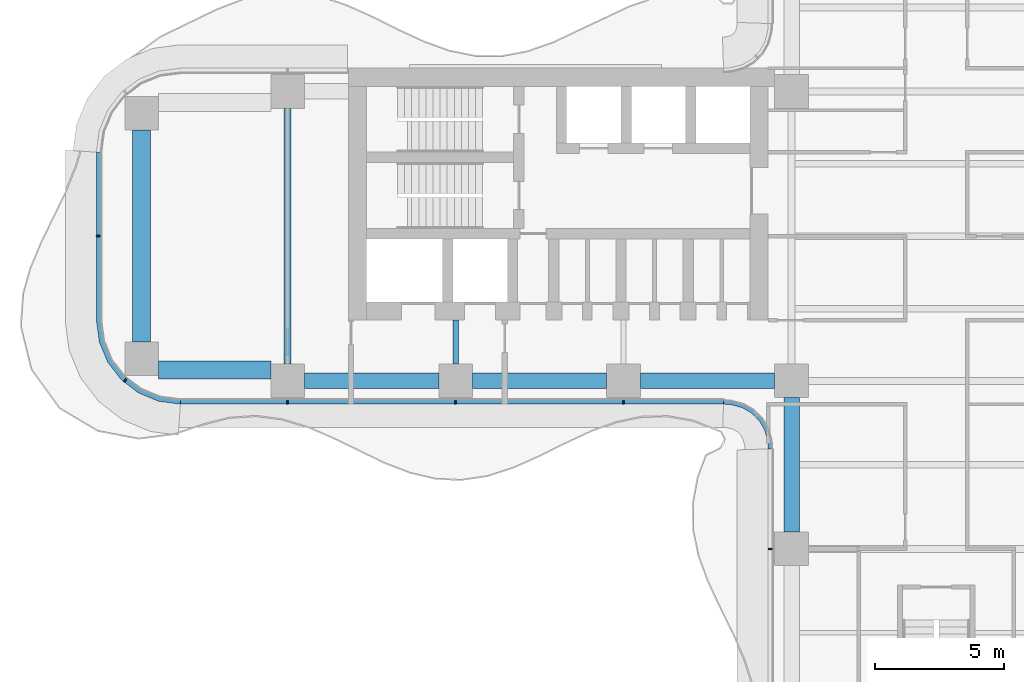
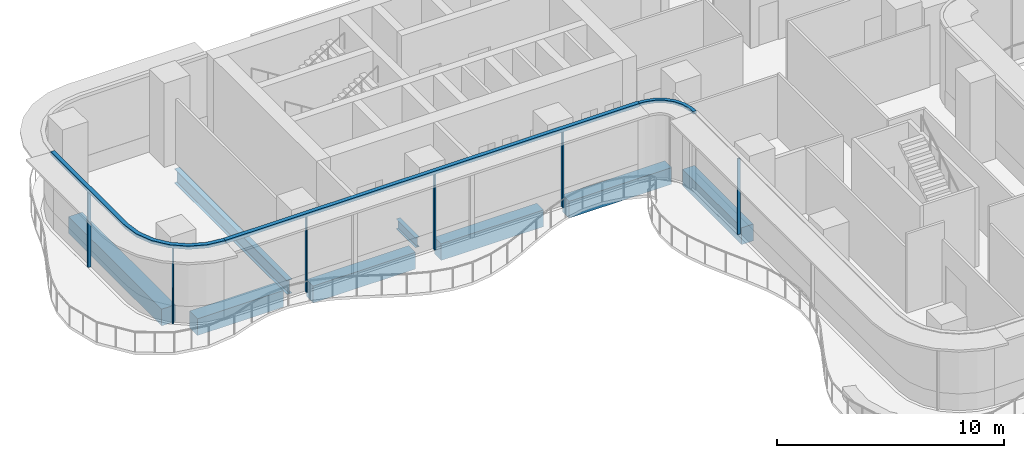
# One storey, part 3 of 21: 9 members, 8 beams, 4 elements without a shape of their own.
"""IFC4 building model written with IfcOpenShell, lengths in metres."""

from ifc_helpers import new_model, si_unit, direction, frame, origin, origin_2d, place, context, subcontext, project, spatial, polyline, rectangle, i_section, outline, extrude, source, transform, mapped, material, layer, layer_set, material_profile, profile_set, type_object, element, aggregate, save


model = new_model("IFC4")

# Units and contexts
model_context = context("Model", 3, precision=1e-05, world=origin(), true_north=direction((0.0, 1.0)))
body_context = subcontext(model_context, "Body", "Model", "MODEL_VIEW")
ifc_project = project(units=[si_unit("LENGTHUNIT", "METRE"), si_unit("AREAUNIT", "SQUARE_METRE"), si_unit("VOLUMEUNIT", "CUBIC_METRE"), si_unit("PLANEANGLEUNIT", "RADIAN"), si_unit("MASSUNIT", "GRAM", prefix="KILO")], contexts=[model_context])

# Site, building, storey
site_placement = place(None, origin())
site = spatial("IfcSite", under=ifc_project, at=site_placement, CompositionType="ELEMENT")
building_placement = place(site_placement, origin())
building = spatial("IfcBuilding", under=site, at=building_placement, Name="Trellis Farm Tower", CompositionType="ELEMENT")
storey_placement = place(building_placement, frame((0.0, 0.0, 115.5)))
storey = spatial("IfcBuildingStorey", under=building, at=storey_placement, Name="L24", CompositionType="ELEMENT", Elevation=115.5)

# Beams
ifc_material_1 = material(Name="Steel S355", Category="steel")
ifc_material_profile_1 = material_profile(ifc_material_1, i_section(OverallWidth=0.2666015625, OverallDepth=0.76220703125, WebThickness=0.014404296875, FlangeThickness=0.021484375, FilletRadius=0.0166015625, at=origin_2d()), Name="UB 762x267x173")
ifc_profile_set_1 = profile_set([ifc_material_profile_1], Name="Steel S355")
beam_type_1 = type_object("IfcBeamType", Name="UB 762x267x173", PredefinedType="BEAM", material=ifc_profile_set_1)
shared_shape_1 = source(origin(), body_context, "Body", "SweptSolid", [
    extrude(i_section(OverallWidth=0.2666015625, OverallDepth=0.76220703125, WebThickness=0.014404296875, FlangeThickness=0.021484375, FilletRadius=0.0166015625, at=origin_2d()), origin(), (0.0, 0.0, 1.0), 9.89990234375),
])
beam_1_placement = place(storey_placement, frame((-25.10009765625, -4.949951171875, -0.631103515625), z_axis=(0.0, 1.0, 0.0), x_axis=(-1.0, 0.0, 0.0)))
element("IfcBeam", 1, at=beam_1_placement, inside=storey, type_object=beam_type_1, Name="Girder", PredefinedType="BEAM", context=body_context, shape_type="MappedRepresentation", body=[
    mapped(shared_shape_1, transform((0.0, 0.0, 0.0))),
])
ifc_material_profile_2 = material_profile(ifc_material_1, i_section(OverallWidth=0.209228515625, OverallDepth=0.533203125, WebThickness=0.010009765625, FlangeThickness=0.015625, FilletRadius=0.0126953125, at=origin_2d()), Name="UB 533x210x92")
ifc_profile_set_2 = profile_set([ifc_material_profile_2], Name="Steel S355")
beam_type_2 = type_object("IfcBeamType", Name="UB 533x210x92", PredefinedType="BEAM", material=ifc_profile_set_2)
shared_shape_2 = source(origin(), body_context, "Body", "SweptSolid", [
    extrude(i_section(OverallWidth=0.209228515625, OverallDepth=0.533203125, WebThickness=0.010009765625, FlangeThickness=0.015625, FilletRadius=0.0126953125, at=origin_2d()), origin(), (0.0, 0.0, 1.0), 1.699951171875),
])
beam_2_placement = place(storey_placement, frame((-18.60009765625, -4.949951171875, -0.5166015625), z_axis=(0.0, 1.0, 0.0), x_axis=(-1.0, 0.0, 0.0)))
element("IfcBeam", 2, at=beam_2_placement, inside=storey, type_object=beam_type_2, Name="Girder", PredefinedType="BEAM", context=body_context, shape_type="MappedRepresentation", body=[
    mapped(shared_shape_2, transform((0.0, 0.0, 0.0))),
])
ifc_material_2 = material(Name="Concrete C60/75", Category="concrete")
ifc_material_profile_3 = material_profile(ifc_material_2, rectangle(XDim=0.60009765625, YDim=0.89990234375, at=origin_2d()), Name="RC spandrel beam 600x900 C60/75")
ifc_profile_set_3 = profile_set([ifc_material_profile_3], Name="Concrete C60/75")
beam_type_3 = type_object("IfcBeamType", Name="RC spandrel beam 600x900 C60/75", PredefinedType="SPANDREL", material=ifc_profile_set_3)
shared_shape_3 = source(origin(), body_context, "Body", "SweptSolid", [
    extrude(rectangle(XDim=0.60009765625, YDim=0.89990234375, at=origin_2d()), origin(), (0.0, 0.0, 1.0), 5.199951171875),
])
for number, where, z_axis, x_axis, name in (
    (3, (-24.449951171875, -5.60009765625, -0.699951171875), (1.0, 0.0, 0.0), (0.0, 1.0, 0.0), "Girder"),
    (4, (-17.949951171875, -5.60009765625, -0.699951171875), (1.0, 0.0, 0.0), (0.0, 1.0, 0.0), "Girder"),
    (5, (-11.449951171875, -5.60009765625, -0.699951171875), (1.0, 0.0, 0.0), (0.0, 1.0, 0.0), "Girder"),
    (6, (-5.60009765625, -11.449951171875, -0.699951171875), (0.0, 1.0, 0.0), (-1.0, 0.0, 0.0), "Girder"),
):
    element("IfcBeam", number, at=place(storey_placement, frame(where, z_axis=z_axis, x_axis=x_axis)), inside=storey, type_object=beam_type_3, Name=name, PredefinedType="SPANDREL", context=body_context, shape_type="MappedRepresentation", body=[
        mapped(shared_shape_3, transform((0.0, 0.0, 0.0))),
    ])
ifc_material_profile_4 = material_profile(ifc_material_2, rectangle(XDim=0.699951171875, YDim=0.89990234375, at=origin_2d()), Name="RC spandrel beam 700x900 C60/75")
ifc_profile_set_4 = profile_set([ifc_material_profile_4], Name="Concrete C60/75")
beam_type_4 = type_object("IfcBeamType", Name="RC spandrel beam 700x900 C60/75", PredefinedType="SPANDREL", material=ifc_profile_set_4)
shared_shape_4 = source(origin(), body_context, "Body", "SweptSolid", [
    extrude(rectangle(XDim=0.699951171875, YDim=0.89990234375, at=origin_2d()), origin(), (0.0, 0.0, 1.0), 4.35009765625),
])
beam_3_placement = place(storey_placement, frame((-30.10009765625, -5.175048828125, -0.699951171875), z_axis=(1.0, 0.0, 0.0), x_axis=(0.0, 1.0, 0.0)))
element("IfcBeam", 7, at=beam_3_placement, inside=storey, type_object=beam_type_4, Name="Girder", PredefinedType="SPANDREL", context=body_context, shape_type="MappedRepresentation", body=[
    mapped(shared_shape_4, transform((0.0, 0.0, 0.0))),
])
shared_shape_5 = source(origin(), body_context, "Body", "SweptSolid", [
    extrude(rectangle(XDim=0.699951171875, YDim=0.89990234375, at=origin_2d()), origin(), (0.0, 0.0, 1.0), 8.2001953125),
])
beam_4_placement = place(storey_placement, frame((-30.75, -4.10009765625, -0.699951171875), z_axis=(0.0, 1.0, 0.0), x_axis=(-1.0, 0.0, 0.0)))
element("IfcBeam", 8, at=beam_4_placement, inside=storey, type_object=beam_type_4, Name="Girder", PredefinedType="SPANDREL", context=body_context, shape_type="MappedRepresentation", body=[
    mapped(shared_shape_5, transform((0.0, 0.0, 0.0))),
])

# Curtain wall, members
ifc_material_3 = material(Name="Aluminium and glass curtain wall", Category="aluminium")
ifc_layer_1 = layer(ifc_material_3, 0.18994140625)
ifc_layer_set_1 = layer_set([ifc_layer_1], Name="RIBBON CURTAIN WALL CW1")
curtain_wall_type_1 = type_object("IfcCurtainWallType", Name="RIBBON CURTAIN WALL CW1", PredefinedType="NOTDEFINED", material=ifc_layer_set_1)
placement_1 = place(storey_placement, origin())
curtain_wall_1 = element("IfcCurtainWall", 9, at=placement_1, inside=storey, type_object=curtain_wall_type_1, Name="CW1 001", PredefinedType="NOTDEFINED")
ifc_material_4 = material(Name="Aluminium extrusion 6063-T6", Category="aluminium")
ifc_material_profile_5 = material_profile(ifc_material_4, rectangle(XDim=0.06005859375, YDim=0.14990234375, at=origin_2d()), Name="MULLION 60x150")
ifc_profile_set_5 = profile_set([ifc_material_profile_5], Name="Aluminium extrusion 6063-T6")
member_type_1 = type_object("IfcMemberType", Name="CW1 MULLION 60x150", PredefinedType="MULLION", material=ifc_profile_set_5)
shared_shape_6 = source(origin(), body_context, "Body", "SweptSolid", [
    extrude(rectangle(XDim=0.06005859375, YDim=0.14990234375, at=origin_2d()), origin(), (0.0, 0.0, 1.0), 4.070068359375),
])
member_1_placement = place(storey_placement, frame((-25.10009765625, -6.425048828125, 0.0), z_axis=(0.0, 0.0, 1.0), x_axis=(1.0, 0.0, 0.0)))
member_1 = element("IfcMember", 10, at=member_1_placement, type_object=member_type_1, Name="MU1 001-01", PredefinedType="MULLION", context=body_context, shape_type="MappedRepresentation", body=[
    mapped(shared_shape_6, transform((0.0, 0.0, 0.0))),
])
member_2_placement = place(storey_placement, frame((-18.60009765625, -6.425048828125, 0.0), z_axis=(0.0, 0.0, 1.0), x_axis=(1.0, 0.0, 0.0)))
member_2 = element("IfcMember", 11, at=member_2_placement, type_object=member_type_1, Name="MU1 001-02", PredefinedType="MULLION", context=body_context, shape_type="MappedRepresentation", body=[
    mapped(shared_shape_6, transform((0.0, 0.0, 0.0))),
])
member_3_placement = place(storey_placement, frame((-12.10009765625, -6.425048828125, 0.0), z_axis=(0.0, 0.0, 1.0), x_axis=(1.0, 0.0, 0.0)))
member_3 = element("IfcMember", 12, at=member_3_placement, type_object=member_type_1, Name="MU1 001-03", PredefinedType="MULLION", context=body_context, shape_type="MappedRepresentation", body=[
    mapped(shared_shape_6, transform((0.0, 0.0, 0.0))),
])

# Curtain wall, member
curtain_wall_2 = element("IfcCurtainWall", 13, at=placement_1, inside=storey, type_object=curtain_wall_type_1, Name="CW1 002", PredefinedType="NOTDEFINED")
member_4_placement = place(storey_placement, frame((-6.425048828125, -12.10009765625, 0.0), z_axis=(0.0, 0.0, 1.0), x_axis=(0.0, -1.0, 0.0)))
member_4 = element("IfcMember", 14, at=member_4_placement, type_object=member_type_1, Name="MU1 002-01", PredefinedType="MULLION", context=body_context, shape_type="MappedRepresentation", body=[
    mapped(shared_shape_6, transform((0.0, 0.0, 0.0))),
])
aggregate(curtain_wall_2, [member_4])

# Curtain wall, members
curtain_wall_3 = element("IfcCurtainWall", 15, at=placement_1, inside=storey, type_object=curtain_wall_type_1, Name="CW1 013", PredefinedType="NOTDEFINED")
member_5_placement = place(storey_placement, frame((-32.425048828125, 0.0, 0.0), z_axis=(0.0, 0.0, 1.0), x_axis=(0.0, -1.0, 0.0)))
member_5 = element("IfcMember", 16, at=member_5_placement, type_object=member_type_1, Name="MU1 013-01", PredefinedType="MULLION", context=body_context, shape_type="MappedRepresentation", body=[
    mapped(shared_shape_6, transform((0.0, 0.0, 0.0))),
])
member_6_placement = place(storey_placement, frame((-31.385498046875, -5.578369140625, 0.0), z_axis=(0.0, 0.0, 1.0), x_axis=(0.793353340291, -0.608761429009, 0.0)))
member_6 = element("IfcMember", 17, at=member_6_placement, type_object=member_type_1, Name="MU1 013-02", PredefinedType="MULLION", context=body_context, shape_type="MappedRepresentation", body=[
    mapped(shared_shape_6, transform((0.0, 0.0, 0.0))),
])

# Member
ifc_layer_2 = layer(ifc_material_4, 0.199951171875)
ifc_layer_set_2 = layer_set([ifc_layer_2], Name="Aluminium extrusion 6063-T6")
member_type_2 = type_object("IfcMemberType", Name="CW1 TRANSOM 200x180", PredefinedType="USERDEFINED", material=ifc_layer_set_2)
shared_shape_7 = source(origin(), body_context, "Body", "SweptSolid", [
    extrude(outline(polyline([(-29.25, -6.5), (-8.2314453125, -6.5), (-8.224853515625, -6.300048828125), (-29.23681640625, -6.300048828125), (-29.25, -6.5)])), origin(), (0.0, 0.0, 1.0), 0.179931640625),
])
placement_2 = place(storey_placement, frame((0.0, 0.0, 4.070068359375)))
member_7 = element("IfcMember", 18, at=placement_2, type_object=member_type_2, Name="TR1 001", ObjectType="TRANSOM", PredefinedType="USERDEFINED", context=body_context, shape_type="MappedRepresentation", body=[
    mapped(shared_shape_7, transform((0.0, 0.0, 0.0))),
])

aggregate(curtain_wall_1, [member_1, member_2, member_3, member_7])

# Curtain wall, member
ifc_layer_3 = layer(ifc_material_3, 0.166015625)
ifc_layer_set_3 = layer_set([ifc_layer_3], Name="WINTER GARDEN CURTAIN WALL CW3")
curtain_wall_type_2 = type_object("IfcCurtainWallType", Name="WINTER GARDEN CURTAIN WALL CW3", PredefinedType="NOTDEFINED", material=ifc_layer_set_3)
curtain_wall_4 = element("IfcCurtainWall", 19, at=placement_1, inside=storey, type_object=curtain_wall_type_2, Name="CW3 001", PredefinedType="NOTDEFINED")
ifc_layer_4 = layer(ifc_material_4, 0.169921875)
ifc_layer_set_4 = layer_set([ifc_layer_4], Name="Aluminium extrusion 6063-T6")
member_type_3 = type_object("IfcMemberType", Name="CW3 TRANSOM 170x150", PredefinedType="USERDEFINED", material=ifc_layer_set_4)
shared_shape_8 = source(origin(), body_context, "Body", "SweptSolid", [
    extrude(outline(polyline([(-8.2314453125, -6.5), (-8.01953125, -6.513916015625), (-7.91552734375, -6.527587890625), (-7.508544921875, -6.63671875), (-7.144287109375, -6.846923828125), (-6.846923828125, -7.144287109375), (-6.63671875, -7.508544921875), (-6.527587890625, -7.91552734375), (-6.513916015625, -8.01953125), (-6.5, -8.2314453125), (-6.330078125, -8.225830078125), (-6.3447265625, -8.0029296875), (-6.360595703125, -7.88232421875), (-6.478271484375, -7.44287109375), (-6.7109375, -7.0400390625), (-7.0400390625, -6.7109375), (-7.44287109375, -6.478271484375), (-7.88232421875, -6.360595703125), (-8.0029296875, -6.3447265625), (-8.225830078125, -6.330078125), (-8.2314453125, -6.5)])), origin(), (0.0, 0.0, 1.0), 0.14990234375),
])
member_8_placement = place(storey_placement, frame((0.0, 0.0, 4.10009765625)))
member_8 = element("IfcMember", 20, at=member_8_placement, type_object=member_type_3, Name="TR3 001", ObjectType="TRANSOM", PredefinedType="USERDEFINED", context=body_context, shape_type="MappedRepresentation", body=[
    mapped(shared_shape_8, transform((0.0, 0.0, 0.0))),
])
aggregate(curtain_wall_4, [member_8])

# Member
shared_shape_9 = source(origin(), body_context, "Body", "SweptSolid", [
    extrude(outline(polyline([(-32.5, 3.25), (-32.5, -3.25), (-32.38916015625, -4.091064453125), (-32.064697265625, -4.875), (-31.548095703125, -5.548095703125), (-30.875, -6.064697265625), (-30.091064453125, -6.38916015625), (-29.25, -6.5), (-29.23681640625, -6.300048828125), (-30.0390625, -6.1943359375), (-30.774169921875, -5.889892578125), (-31.405517578125, -5.405517578125), (-31.889892578125, -4.774169921875), (-32.1943359375, -4.0390625), (-32.300048828125, -3.23681640625), (-32.300048828125, 3.23681640625), (-32.5, 3.25)])), origin(), (0.0, 0.0, 1.0), 0.179931640625),
])
member_9 = element("IfcMember", 21, at=placement_2, type_object=member_type_2, Name="TR1 013", ObjectType="TRANSOM", PredefinedType="USERDEFINED", context=body_context, shape_type="MappedRepresentation", body=[
    mapped(shared_shape_9, transform((0.0, 0.0, 0.0))),
])

aggregate(curtain_wall_3, [member_5, member_6, member_9])

save(model, "model.ifc")
